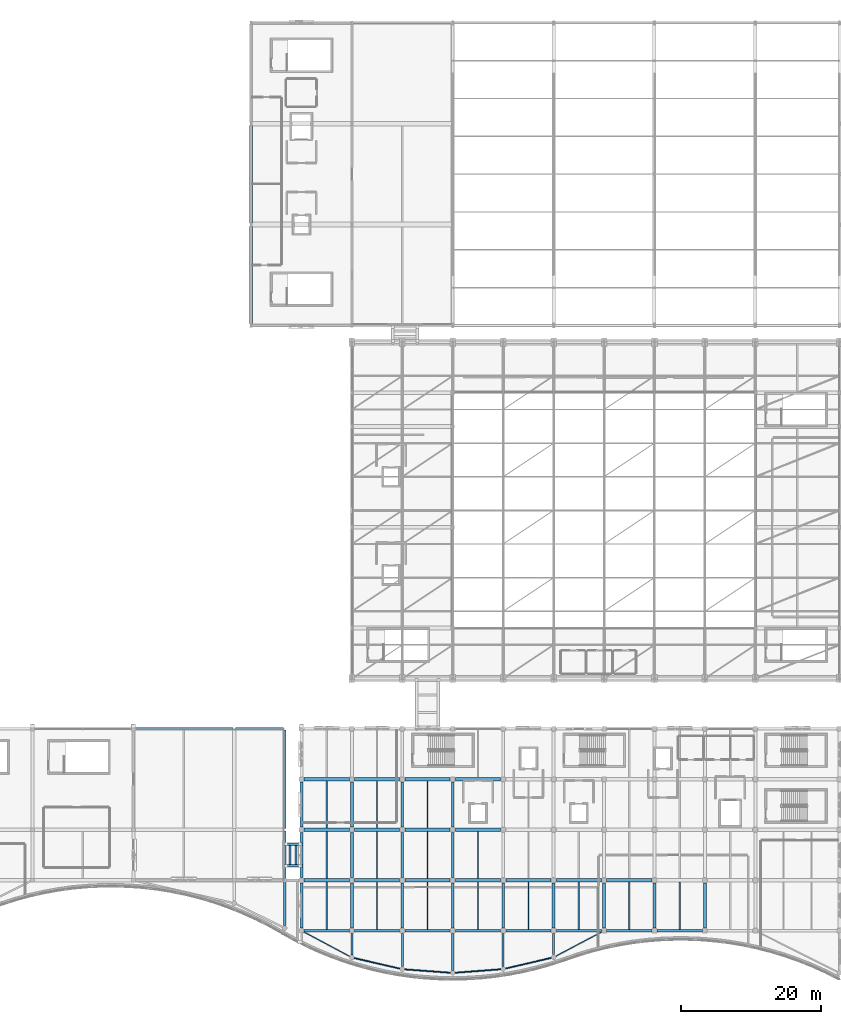
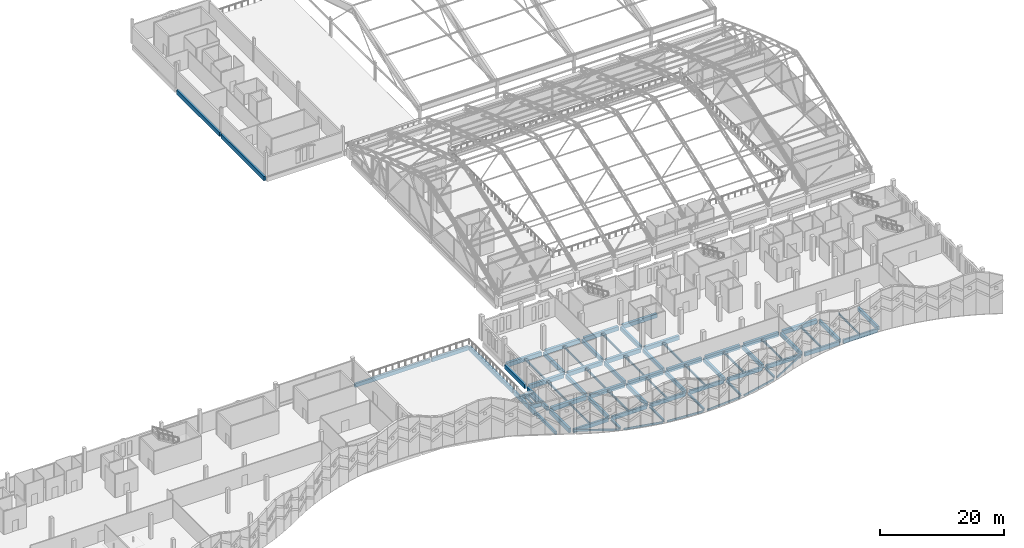
# One storey, part 22 of 116: 77 beams.
"""IFC4 building model written with IfcOpenShell, lengths in metres."""

from ifc_helpers import new_model, si_unit, direction, frame, origin, origin_2d, place, context, subcontext, project, spatial, rectangle, hollow_rectangle, i_section, extrude, material, material_profile, profile_set, type_object, element, save


model = new_model("IFC4")

# Units and contexts
model_context = context("Model", 3, precision=1e-05, world=origin(), true_north=direction((0.0, 1.0)))
body_context = subcontext(model_context, "Body", "Model", "MODEL_VIEW")
ifc_project = project(units=[si_unit("LENGTHUNIT", "METRE"), si_unit("AREAUNIT", "SQUARE_METRE"), si_unit("VOLUMEUNIT", "CUBIC_METRE"), si_unit("PLANEANGLEUNIT", "RADIAN"), si_unit("MASSUNIT", "GRAM", prefix="KILO")], contexts=[model_context])

# Site, building, storey
site_placement = place(None, origin())
site = spatial("IfcSite", under=ifc_project, at=site_placement, CompositionType="ELEMENT")
building_placement = place(site_placement, origin())
building = spatial("IfcBuilding", under=site, at=building_placement, Name="Cendralis Lancet Convention Centre", CompositionType="ELEMENT")
storey_placement = place(building_placement, frame((0.0, 0.0, 15.0)))
storey = spatial("IfcBuildingStorey", under=building, at=storey_placement, Name="L03", CompositionType="ELEMENT", Elevation=15.0)

# Beams
ifc_material_1 = material(Name="Concrete G35 (C35/45)", Category="concrete")
ifc_material_profile_1 = material_profile(ifc_material_1, rectangle(XDim=0.5, YDim=0.800048828125, at=origin_2d()), Name="RCB 500x800")
ifc_profile_set_1 = profile_set([ifc_material_profile_1], Name="Concrete G35 (C35/45)")
beam_type_1 = type_object("IfcBeamType", Name="STR-BM-BG09", PredefinedType="BEAM", material=ifc_profile_set_1)
for number, where, z_axis, x_axis, name in (
    (1, (132.375, 14.39990234375, -0.659912109375), (1.0, 0.0, 0.0), (0.0, 1.0, 0.0), "L03 Beam BG09 #0389"),
    (2, (139.574951171875, 14.39990234375, -0.659912109375), (1.0, 0.0, 0.0), (0.0, 1.0, 0.0), "L03 Beam BG09 #0390"),
):
    element("IfcBeam", number, at=place(storey_placement, frame(where, z_axis=z_axis, x_axis=x_axis)), inside=storey, type_object=beam_type_1, Name=name, PredefinedType="BEAM", context=body_context, shape_type="SweptSolid", body=[
        extrude(rectangle(XDim=0.5, YDim=0.800048828125, at=origin_2d()), origin(), (0.0, 0.0, 1.0), 6.449951171875),
    ])
beam_1_placement = place(storey_placement, frame((146.77490234375, 14.39990234375, -0.659912109375), z_axis=(1.0, 0.0, 0.0), x_axis=(0.0, 1.0, 0.0)))
element("IfcBeam", 3, at=beam_1_placement, inside=storey, type_object=beam_type_1, Name="L03 Beam BG09 #0391", PredefinedType="BEAM", context=body_context, shape_type="SweptSolid", body=[
    extrude(rectangle(XDim=0.5, YDim=0.800048828125, at=origin_2d()), origin(), (0.0, 0.0, 1.0), 6.4501953125),
])
for number, where, z_axis, x_axis, name in (
    (4, (153.97509765625, 14.39990234375, -0.659912109375), (1.0, 0.0, 0.0), (0.0, 1.0, 0.0), "L03 Beam BG09 #0392"),
    (5, (161.175048828125, 14.39990234375, -0.659912109375), (1.0, 0.0, 0.0), (0.0, 1.0, 0.0), "L03 Beam BG09 #0393"),
    (6, (168.375, 14.39990234375, -0.659912109375), (1.0, 0.0, 0.0), (0.0, 1.0, 0.0), "L03 Beam BG09 #0394"),
    (7, (175.574951171875, 14.39990234375, -0.659912109375), (1.0, 0.0, 0.0), (0.0, 1.0, 0.0), "L03 Beam BG09 #0395"),
    (8, (132.375, 21.60009765625, -0.659912109375), (1.0, 0.0, 0.0), (0.0, 1.0, 0.0), "L03 Beam BG09 #0399"),
    (9, (139.574951171875, 21.60009765625, -0.659912109375), (1.0, 0.0, 0.0), (0.0, 1.0, 0.0), "L03 Beam BG09 #0400"),
):
    element("IfcBeam", number, at=place(storey_placement, frame(where, z_axis=z_axis, x_axis=x_axis)), inside=storey, type_object=beam_type_1, Name=name, PredefinedType="BEAM", context=body_context, shape_type="SweptSolid", body=[
        extrude(rectangle(XDim=0.5, YDim=0.800048828125, at=origin_2d()), origin(), (0.0, 0.0, 1.0), 6.449951171875),
    ])
beam_2_placement = place(storey_placement, frame((146.77490234375, 21.60009765625, -0.659912109375), z_axis=(1.0, 0.0, 0.0), x_axis=(0.0, 1.0, 0.0)))
element("IfcBeam", 10, at=beam_2_placement, inside=storey, type_object=beam_type_1, Name="L03 Beam BG09 #0401", PredefinedType="BEAM", context=body_context, shape_type="SweptSolid", body=[
    extrude(rectangle(XDim=0.5, YDim=0.800048828125, at=origin_2d()), origin(), (0.0, 0.0, 1.0), 6.4501953125),
])
for number, where, z_axis, x_axis, name in (
    (11, (153.97509765625, 21.60009765625, -0.659912109375), (1.0, 0.0, 0.0), (0.0, 1.0, 0.0), "L03 Beam BG09 #0402"),
    (12, (132.375, 28.800048828125, -0.659912109375), (1.0, 0.0, 0.0), (0.0, 1.0, 0.0), "L03 Beam BG09 #0409"),
    (13, (139.574951171875, 28.800048828125, -0.659912109375), (1.0, 0.0, 0.0), (0.0, 1.0, 0.0), "L03 Beam BG09 #0410"),
):
    element("IfcBeam", number, at=place(storey_placement, frame(where, z_axis=z_axis, x_axis=x_axis)), inside=storey, type_object=beam_type_1, Name=name, PredefinedType="BEAM", context=body_context, shape_type="SweptSolid", body=[
        extrude(rectangle(XDim=0.5, YDim=0.800048828125, at=origin_2d()), origin(), (0.0, 0.0, 1.0), 6.449951171875),
    ])
beam_3_placement = place(storey_placement, frame((146.77490234375, 28.800048828125, -0.659912109375), z_axis=(1.0, 0.0, 0.0), x_axis=(0.0, 1.0, 0.0)))
element("IfcBeam", 14, at=beam_3_placement, inside=storey, type_object=beam_type_1, Name="L03 Beam BG09 #0411", PredefinedType="BEAM", context=body_context, shape_type="SweptSolid", body=[
    extrude(rectangle(XDim=0.5, YDim=0.800048828125, at=origin_2d()), origin(), (0.0, 0.0, 1.0), 6.4501953125),
])
beam_4_placement = place(storey_placement, frame((153.97509765625, 28.800048828125, -0.659912109375), z_axis=(1.0, 0.0, 0.0), x_axis=(0.0, 1.0, 0.0)))
element("IfcBeam", 15, at=beam_4_placement, inside=storey, type_object=beam_type_1, Name="L03 Beam BG09 #0412", PredefinedType="BEAM", context=body_context, shape_type="SweptSolid", body=[
    extrude(rectangle(XDim=0.5, YDim=0.800048828125, at=origin_2d()), origin(), (0.0, 0.0, 1.0), 6.449951171875),
])
ifc_material_profile_2 = material_profile(ifc_material_1, rectangle(XDim=0.39990234375, YDim=0.75, at=origin_2d()), Name="RCB 400x750")
ifc_profile_set_2 = profile_set([ifc_material_profile_2], Name="Concrete G35 (C35/45)")
beam_type_2 = type_object("IfcBeamType", Name="STR-BM-BG12", PredefinedType="BEAM", material=ifc_profile_set_2)
beam_5_placement = place(storey_placement, frame((139.199951171875, 7.574951171875, -0.635009765625), z_axis=(0.0, 1.0, 0.0), x_axis=(-1.0, 0.0, 0.0)))
element("IfcBeam", 16, at=beam_5_placement, inside=storey, type_object=beam_type_2, Name="L03 Beam BG12 #0433", PredefinedType="BEAM", context=body_context, shape_type="SweptSolid", body=[
    extrude(rectangle(XDim=0.39990234375, YDim=0.75, at=origin_2d()), origin(), (0.0, 0.0, 1.0), 6.449951171875),
])
beam_6_placement = place(storey_placement, frame((139.199951171875, 14.77490234375, -0.635009765625), z_axis=(0.0, 1.0, 0.0), x_axis=(-1.0, 0.0, 0.0)))
element("IfcBeam", 17, at=beam_6_placement, inside=storey, type_object=beam_type_2, Name="L03 Beam BG12 #0434", PredefinedType="BEAM", context=body_context, shape_type="SweptSolid", body=[
    extrude(rectangle(XDim=0.39990234375, YDim=0.75, at=origin_2d()), origin(), (0.0, 0.0, 1.0), 6.4501953125),
])
for number, where, z_axis, x_axis, name in (
    (18, (139.199951171875, 21.97509765625, -0.635009765625), (0.0, 1.0, 0.0), (-1.0, 0.0, 0.0), "L03 Beam BG12 #0435"),
    (19, (146.39990234375, 7.574951171875, -0.635009765625), (0.0, 1.0, 0.0), (-1.0, 0.0, 0.0), "L03 Beam BG12 #0437"),
):
    element("IfcBeam", number, at=place(storey_placement, frame(where, z_axis=z_axis, x_axis=x_axis)), inside=storey, type_object=beam_type_2, Name=name, PredefinedType="BEAM", context=body_context, shape_type="SweptSolid", body=[
        extrude(rectangle(XDim=0.39990234375, YDim=0.75, at=origin_2d()), origin(), (0.0, 0.0, 1.0), 6.449951171875),
    ])
beam_7_placement = place(storey_placement, frame((146.39990234375, 14.77490234375, -0.635009765625), z_axis=(0.0, 1.0, 0.0), x_axis=(-1.0, 0.0, 0.0)))
element("IfcBeam", 20, at=beam_7_placement, inside=storey, type_object=beam_type_2, Name="L03 Beam BG12 #0438", PredefinedType="BEAM", context=body_context, shape_type="SweptSolid", body=[
    extrude(rectangle(XDim=0.39990234375, YDim=0.75, at=origin_2d()), origin(), (0.0, 0.0, 1.0), 6.4501953125),
])
for number, where, z_axis, x_axis, name in (
    (21, (146.39990234375, 21.97509765625, -0.635009765625), (0.0, 1.0, 0.0), (-1.0, 0.0, 0.0), "L03 Beam BG12 #0439"),
    (22, (153.60009765625, 7.574951171875, -0.635009765625), (0.0, 1.0, 0.0), (-1.0, 0.0, 0.0), "L03 Beam BG12 #0441"),
):
    element("IfcBeam", number, at=place(storey_placement, frame(where, z_axis=z_axis, x_axis=x_axis)), inside=storey, type_object=beam_type_2, Name=name, PredefinedType="BEAM", context=body_context, shape_type="SweptSolid", body=[
        extrude(rectangle(XDim=0.39990234375, YDim=0.75, at=origin_2d()), origin(), (0.0, 0.0, 1.0), 6.449951171875),
    ])
beam_8_placement = place(storey_placement, frame((153.60009765625, 14.77490234375, -0.635009765625), z_axis=(0.0, 1.0, 0.0), x_axis=(-1.0, 0.0, 0.0)))
element("IfcBeam", 23, at=beam_8_placement, inside=storey, type_object=beam_type_2, Name="L03 Beam BG12 #0442", PredefinedType="BEAM", context=body_context, shape_type="SweptSolid", body=[
    extrude(rectangle(XDim=0.39990234375, YDim=0.75, at=origin_2d()), origin(), (0.0, 0.0, 1.0), 6.4501953125),
])
for number, where, z_axis, x_axis, name in (
    (24, (153.60009765625, 21.97509765625, -0.635009765625), (0.0, 1.0, 0.0), (-1.0, 0.0, 0.0), "L03 Beam BG12 #0443"),
    (25, (160.800048828125, 7.574951171875, -0.635009765625), (0.0, 1.0, 0.0), (-1.0, 0.0, 0.0), "L03 Beam BG12 #0444"),
    (26, (168.0, 7.574951171875, -0.635009765625), (0.0, 1.0, 0.0), (-1.0, 0.0, 0.0), "L03 Beam BG12 #0448"),
    (27, (175.199951171875, 7.574951171875, -0.635009765625), (0.0, 1.0, 0.0), (-1.0, 0.0, 0.0), "L03 Beam BG12 #0452"),
    (28, (182.39990234375, 7.574951171875, -0.635009765625), (0.0, 1.0, 0.0), (-1.0, 0.0, 0.0), "L03 Beam BG12 #0455"),
    (29, (189.60009765625, 7.574951171875, -0.635009765625), (0.0, 1.0, 0.0), (-1.0, 0.0, 0.0), "L03 Beam BG12 #0459"),
):
    element("IfcBeam", number, at=place(storey_placement, frame(where, z_axis=z_axis, x_axis=x_axis)), inside=storey, type_object=beam_type_2, Name=name, PredefinedType="BEAM", context=body_context, shape_type="SweptSolid", body=[
        extrude(rectangle(XDim=0.39990234375, YDim=0.75, at=origin_2d()), origin(), (0.0, 0.0, 1.0), 6.449951171875),
    ])
ifc_material_profile_3 = material_profile(ifc_material_1, rectangle(XDim=0.35009765625, YDim=0.60009765625, at=origin_2d()), Name="RCB 350x600")
ifc_profile_set_3 = profile_set([ifc_material_profile_3], Name="Concrete G35 (C35/45)")
beam_type_3 = type_object("IfcBeamType", Name="STR-BM-BG16", PredefinedType="BEAM", material=ifc_profile_set_3)
beam_9_placement = place(storey_placement, frame((129.60009765625, 7.94775390625, -0.56005859375), z_axis=(0.0, 1.0, 0.0), x_axis=(-1.0, 0.0, 0.0)))
element("IfcBeam", 30, at=beam_9_placement, inside=storey, type_object=beam_type_3, Name="L03 Beam BG16 #1106", PredefinedType="BEAM", context=body_context, shape_type="SweptSolid", body=[
    extrude(rectangle(XDim=0.35009765625, YDim=0.60009765625, at=origin_2d()), origin(), (0.0, 0.0, 1.0), 6.272216796875),
])
ifc_material_2 = material(Name="Steel S355", Category="steel")
ifc_material_profile_4 = material_profile(ifc_material_2, i_section(OverallWidth=0.35009765625, OverallDepth=0.89990234375, WebThickness=0.01611328125, FlangeThickness=0.028076171875, at=origin_2d()), Name="PG 900x350")
ifc_profile_set_4 = profile_set([ifc_material_profile_4], Name="Steel S355")
beam_type_4 = type_object("IfcBeamType", Name="STR-BM-SG05", PredefinedType="BEAM", material=ifc_profile_set_4)
for number, where, z_axis, x_axis, name in (
    (31, (129.3798828125, 16.449951171875, -0.64990234375), (1.0, 0.0, 0.0), (0.0, 1.0, 0.0), "L03 Beam SG05 #1912"),
    (32, (129.3798828125, 19.550048828125, -0.64990234375), (1.0, 0.0, 0.0), (0.0, 1.0, 0.0), "L03 Beam SG05 #1913"),
):
    element("IfcBeam", number, at=place(storey_placement, frame(where, z_axis=z_axis, x_axis=x_axis)), inside=storey, type_object=beam_type_4, Name=name, PredefinedType="BEAM", context=body_context, shape_type="SweptSolid", body=[
        extrude(i_section(OverallWidth=0.35009765625, OverallDepth=0.89990234375, WebThickness=0.01611328125, FlangeThickness=0.028076171875, at=origin_2d()), origin(), (0.0, 0.0, 1.0), 2.840087890625),
    ])
ifc_material_profile_5 = material_profile(ifc_material_2, i_section(OverallWidth=0.300048828125, OverallDepth=0.43994140625, WebThickness=0.011474609375, FlangeThickness=0.02099609375, FilletRadius=0.027099609375, at=origin_2d()), Name="HEA 450")
ifc_profile_set_5 = profile_set([ifc_material_profile_5], Name="Steel S355")
beam_type_5 = type_object("IfcBeamType", Name="STR-BM-SG13", PredefinedType="BEAM", material=ifc_profile_set_5)
for number, where, z_axis, x_axis, name in (
    (33, (130.39208984375, 16.6298828125, -0.419921875), (0.0, 1.0, 0.0), (-1.0, 0.0, 0.0), "L03 Beam SG13 #1914"),
    (34, (131.2080078125, 16.6298828125, -0.419921875), (0.0, 1.0, 0.0), (-1.0, 0.0, 0.0), "L03 Beam SG13 #1915"),
):
    element("IfcBeam", number, at=place(storey_placement, frame(where, z_axis=z_axis, x_axis=x_axis)), inside=storey, type_object=beam_type_5, Name=name, PredefinedType="BEAM", context=body_context, shape_type="SweptSolid", body=[
        extrude(i_section(OverallWidth=0.300048828125, OverallDepth=0.43994140625, WebThickness=0.011474609375, FlangeThickness=0.02099609375, FilletRadius=0.027099609375, at=origin_2d()), origin(), (0.0, 0.0, 1.0), 2.740234375),
    ])
ifc_material_profile_6 = material_profile(ifc_material_2, i_section(OverallWidth=0.300048828125, OverallDepth=0.389892578125, WebThickness=0.010986328125, FlangeThickness=0.01904296875, FilletRadius=0.027099609375, at=origin_2d()), Name="HEA 400")
ifc_profile_set_6 = profile_set([ifc_material_profile_6], Name="Steel S355")
beam_type_6 = type_object("IfcBeamType", Name="STR-BM-SG14", PredefinedType="BEAM", material=ifc_profile_set_6)
beam_10_placement = place(storey_placement, frame((139.199951171875, 3.74072265625, -0.455078125), z_axis=(0.0, 1.0, 0.0), x_axis=(-1.0, 0.0, 0.0)))
element("IfcBeam", 35, at=beam_10_placement, inside=storey, type_object=beam_type_6, Name="L03 Beam SG14 #1107", PredefinedType="BEAM", context=body_context, shape_type="SweptSolid", body=[
    extrude(i_section(OverallWidth=0.300048828125, OverallDepth=0.389892578125, WebThickness=0.010986328125, FlangeThickness=0.01904296875, FilletRadius=0.027099609375, at=origin_2d()), origin(), (0.0, 0.0, 1.0), 3.084228515625),
])
beam_11_placement = place(storey_placement, frame((146.39990234375, 2.080810546875, -0.455078125), z_axis=(0.0, 1.0, 0.0), x_axis=(-1.0, 0.0, 0.0)))
element("IfcBeam", 36, at=beam_11_placement, inside=storey, type_object=beam_type_6, Name="L03 Beam SG14 #1108", PredefinedType="BEAM", context=body_context, shape_type="SweptSolid", body=[
    extrude(i_section(OverallWidth=0.300048828125, OverallDepth=0.389892578125, WebThickness=0.010986328125, FlangeThickness=0.01904296875, FilletRadius=0.027099609375, at=origin_2d()), origin(), (0.0, 0.0, 1.0), 4.744140625),
])
beam_12_placement = place(storey_placement, frame((153.60009765625, 1.544921875, -0.455078125), z_axis=(0.0, 1.0, 0.0), x_axis=(-1.0, 0.0, 0.0)))
element("IfcBeam", 37, at=beam_12_placement, inside=storey, type_object=beam_type_6, Name="L03 Beam SG14 #1109", PredefinedType="BEAM", context=body_context, shape_type="SweptSolid", body=[
    extrude(i_section(OverallWidth=0.300048828125, OverallDepth=0.389892578125, WebThickness=0.010986328125, FlangeThickness=0.01904296875, FilletRadius=0.027099609375, at=origin_2d()), origin(), (0.0, 0.0, 1.0), 5.280029296875),
])
beam_13_placement = place(storey_placement, frame((160.800048828125, 2.095458984375, -0.455078125), z_axis=(0.0, 1.0, 0.0), x_axis=(-1.0, 0.0, 0.0)))
element("IfcBeam", 38, at=beam_13_placement, inside=storey, type_object=beam_type_6, Name="L03 Beam SG14 #1110", PredefinedType="BEAM", context=body_context, shape_type="SweptSolid", body=[
    extrude(i_section(OverallWidth=0.300048828125, OverallDepth=0.389892578125, WebThickness=0.010986328125, FlangeThickness=0.01904296875, FilletRadius=0.027099609375, at=origin_2d()), origin(), (0.0, 0.0, 1.0), 4.7294921875),
])
beam_14_placement = place(storey_placement, frame((168.0, 3.771240234375, -0.455078125), z_axis=(0.0, 1.0, 0.0), x_axis=(-1.0, 0.0, 0.0)))
element("IfcBeam", 39, at=beam_14_placement, inside=storey, type_object=beam_type_6, Name="L03 Beam SG14 #1111", PredefinedType="BEAM", context=body_context, shape_type="SweptSolid", body=[
    extrude(i_section(OverallWidth=0.300048828125, OverallDepth=0.389892578125, WebThickness=0.010986328125, FlangeThickness=0.01904296875, FilletRadius=0.027099609375, at=origin_2d()), origin(), (0.0, 0.0, 1.0), 3.0537109375),
])
ifc_material_profile_7 = material_profile(ifc_material_2, i_section(OverallWidth=0.179931640625, OverallDepth=0.39990234375, WebThickness=0.008544921875, FlangeThickness=0.013427734375, FilletRadius=0.02099609375, at=origin_2d()), Name="IPE 400")
ifc_profile_set_7 = profile_set([ifc_material_profile_7], Name="Steel S355")
beam_type_7 = type_object("IfcBeamType", Name="STR-JS-BJ08", PredefinedType="JOIST", material=ifc_profile_set_7)
beam_15_placement = place(storey_placement, frame((135.60009765625, 7.375, -0.4599609375), z_axis=(0.0, 1.0, 0.0), x_axis=(-1.0, 0.0, 0.0)))
element("IfcBeam", 40, at=beam_15_placement, inside=storey, type_object=beam_type_7, Name="L03 Beam BJ08 #0471", PredefinedType="JOIST", context=body_context, shape_type="SweptSolid", body=[
    extrude(i_section(OverallWidth=0.179931640625, OverallDepth=0.39990234375, WebThickness=0.008544921875, FlangeThickness=0.013427734375, FilletRadius=0.02099609375, at=origin_2d()), origin(), (0.0, 0.0, 1.0), 6.77490234375),
])
beam_16_placement = place(storey_placement, frame((135.60009765625, 14.64990234375, -0.4599609375), z_axis=(0.0, 1.0, 0.0), x_axis=(-1.0, 0.0, 0.0)))
element("IfcBeam", 41, at=beam_16_placement, inside=storey, type_object=beam_type_7, Name="L03 Beam BJ08 #0472", PredefinedType="JOIST", context=body_context, shape_type="SweptSolid", body=[
    extrude(i_section(OverallWidth=0.179931640625, OverallDepth=0.39990234375, WebThickness=0.008544921875, FlangeThickness=0.013427734375, FilletRadius=0.02099609375, at=origin_2d()), origin(), (0.0, 0.0, 1.0), 6.7001953125),
])
beam_17_placement = place(storey_placement, frame((135.60009765625, 21.85009765625, -0.4599609375), z_axis=(0.0, 1.0, 0.0), x_axis=(-1.0, 0.0, 0.0)))
element("IfcBeam", 42, at=beam_17_placement, inside=storey, type_object=beam_type_7, Name="L03 Beam BJ08 #0473", PredefinedType="JOIST", context=body_context, shape_type="SweptSolid", body=[
    extrude(i_section(OverallWidth=0.179931640625, OverallDepth=0.39990234375, WebThickness=0.008544921875, FlangeThickness=0.013427734375, FilletRadius=0.02099609375, at=origin_2d()), origin(), (0.0, 0.0, 1.0), 6.699951171875),
])
beam_18_placement = place(storey_placement, frame((142.800048828125, 7.375, -0.4599609375), z_axis=(0.0, 1.0, 0.0), x_axis=(-1.0, 0.0, 0.0)))
element("IfcBeam", 43, at=beam_18_placement, inside=storey, type_object=beam_type_7, Name="L03 Beam BJ08 #0475", PredefinedType="JOIST", context=body_context, shape_type="SweptSolid", body=[
    extrude(i_section(OverallWidth=0.179931640625, OverallDepth=0.39990234375, WebThickness=0.008544921875, FlangeThickness=0.013427734375, FilletRadius=0.02099609375, at=origin_2d()), origin(), (0.0, 0.0, 1.0), 6.77490234375),
])
beam_19_placement = place(storey_placement, frame((142.800048828125, 14.64990234375, -0.4599609375), z_axis=(0.0, 1.0, 0.0), x_axis=(-1.0, 0.0, 0.0)))
element("IfcBeam", 44, at=beam_19_placement, inside=storey, type_object=beam_type_7, Name="L03 Beam BJ08 #0476", PredefinedType="JOIST", context=body_context, shape_type="SweptSolid", body=[
    extrude(i_section(OverallWidth=0.179931640625, OverallDepth=0.39990234375, WebThickness=0.008544921875, FlangeThickness=0.013427734375, FilletRadius=0.02099609375, at=origin_2d()), origin(), (0.0, 0.0, 1.0), 6.7001953125),
])
beam_20_placement = place(storey_placement, frame((142.800048828125, 21.85009765625, -0.4599609375), z_axis=(0.0, 1.0, 0.0), x_axis=(-1.0, 0.0, 0.0)))
element("IfcBeam", 45, at=beam_20_placement, inside=storey, type_object=beam_type_7, Name="L03 Beam BJ08 #0477", PredefinedType="JOIST", context=body_context, shape_type="SweptSolid", body=[
    extrude(i_section(OverallWidth=0.179931640625, OverallDepth=0.39990234375, WebThickness=0.008544921875, FlangeThickness=0.013427734375, FilletRadius=0.02099609375, at=origin_2d()), origin(), (0.0, 0.0, 1.0), 6.699951171875),
])
beam_21_placement = place(storey_placement, frame((150.0, 7.375, -0.4599609375), z_axis=(0.0, 1.0, 0.0), x_axis=(-1.0, 0.0, 0.0)))
element("IfcBeam", 46, at=beam_21_placement, inside=storey, type_object=beam_type_7, Name="L03 Beam BJ08 #0479", PredefinedType="JOIST", context=body_context, shape_type="SweptSolid", body=[
    extrude(i_section(OverallWidth=0.179931640625, OverallDepth=0.39990234375, WebThickness=0.008544921875, FlangeThickness=0.013427734375, FilletRadius=0.02099609375, at=origin_2d()), origin(), (0.0, 0.0, 1.0), 6.77490234375),
])
beam_22_placement = place(storey_placement, frame((150.0, 14.64990234375, -0.4599609375), z_axis=(0.0, 1.0, 0.0), x_axis=(-1.0, 0.0, 0.0)))
element("IfcBeam", 47, at=beam_22_placement, inside=storey, type_object=beam_type_7, Name="L03 Beam BJ08 #0480", PredefinedType="JOIST", context=body_context, shape_type="SweptSolid", body=[
    extrude(i_section(OverallWidth=0.179931640625, OverallDepth=0.39990234375, WebThickness=0.008544921875, FlangeThickness=0.013427734375, FilletRadius=0.02099609375, at=origin_2d()), origin(), (0.0, 0.0, 1.0), 6.7001953125),
])
beam_23_placement = place(storey_placement, frame((150.0, 21.85009765625, -0.4599609375), z_axis=(0.0, 1.0, 0.0), x_axis=(-1.0, 0.0, 0.0)))
element("IfcBeam", 48, at=beam_23_placement, inside=storey, type_object=beam_type_7, Name="L03 Beam BJ08 #0481", PredefinedType="JOIST", context=body_context, shape_type="SweptSolid", body=[
    extrude(i_section(OverallWidth=0.179931640625, OverallDepth=0.39990234375, WebThickness=0.008544921875, FlangeThickness=0.013427734375, FilletRadius=0.02099609375, at=origin_2d()), origin(), (0.0, 0.0, 1.0), 6.699951171875),
])
beam_24_placement = place(storey_placement, frame((157.199951171875, 7.375, -0.4599609375), z_axis=(0.0, 1.0, 0.0), x_axis=(-1.0, 0.0, 0.0)))
element("IfcBeam", 49, at=beam_24_placement, inside=storey, type_object=beam_type_7, Name="L03 Beam BJ08 #0482", PredefinedType="JOIST", context=body_context, shape_type="SweptSolid", body=[
    extrude(i_section(OverallWidth=0.179931640625, OverallDepth=0.39990234375, WebThickness=0.008544921875, FlangeThickness=0.013427734375, FilletRadius=0.02099609375, at=origin_2d()), origin(), (0.0, 0.0, 1.0), 6.77490234375),
])
beam_25_placement = place(storey_placement, frame((157.199951171875, 14.64990234375, -0.4599609375), z_axis=(0.0, 1.0, 0.0), x_axis=(-1.0, 0.0, 0.0)))
element("IfcBeam", 50, at=beam_25_placement, inside=storey, type_object=beam_type_7, Name="L03 Beam BJ08 #0483", PredefinedType="JOIST", context=body_context, shape_type="SweptSolid", body=[
    extrude(i_section(OverallWidth=0.179931640625, OverallDepth=0.39990234375, WebThickness=0.008544921875, FlangeThickness=0.013427734375, FilletRadius=0.02099609375, at=origin_2d()), origin(), (0.0, 0.0, 1.0), 6.7001953125),
])
for number, where, z_axis, x_axis, name in (
    (51, (164.39990234375, 7.375, -0.4599609375), (0.0, 1.0, 0.0), (-1.0, 0.0, 0.0), "L03 Beam BJ08 #0485"),
    (52, (171.60009765625, 7.375, -0.4599609375), (0.0, 1.0, 0.0), (-1.0, 0.0, 0.0), "L03 Beam BJ08 #0488"),
    (53, (178.800048828125, 7.375, -0.4599609375), (0.0, 1.0, 0.0), (-1.0, 0.0, 0.0), "L03 Beam BJ08 #0490"),
    (54, (186.0, 7.375, -0.4599609375), (0.0, 1.0, 0.0), (-1.0, 0.0, 0.0), "L03 Beam BJ08 #0494"),
):
    element("IfcBeam", number, at=place(storey_placement, frame(where, z_axis=z_axis, x_axis=x_axis)), inside=storey, type_object=beam_type_7, Name=name, PredefinedType="JOIST", context=body_context, shape_type="SweptSolid", body=[
        extrude(i_section(OverallWidth=0.179931640625, OverallDepth=0.39990234375, WebThickness=0.008544921875, FlangeThickness=0.013427734375, FilletRadius=0.02099609375, at=origin_2d()), origin(), (0.0, 0.0, 1.0), 6.77490234375),
    ])
ifc_material_3 = material(Name="Concrete G40 (C40/50)", Category="concrete")
ifc_material_profile_8 = material_profile(ifc_material_3, rectangle(XDim=0.35009765625, YDim=0.75, at=origin_2d()), Name="RCB 350x750")
ifc_profile_set_8 = profile_set([ifc_material_profile_8], Name="Concrete G40 (C40/50)")
beam_type_8 = type_object("IfcBeamType", Name="STR-SP-SP01", PredefinedType="SPANDREL", material=ifc_profile_set_8)
for number, where, z_axis, x_axis, name in (
    (55, (132.375, 7.199951171875, -0.635009765625), (1.0, 0.0, 0.0), (0.0, 1.0, 0.0), "L03 Beam SP01 #0379"),
    (56, (139.574951171875, 7.199951171875, -0.635009765625), (1.0, 0.0, 0.0), (0.0, 1.0, 0.0), "L03 Beam SP01 #0380"),
):
    element("IfcBeam", number, at=place(storey_placement, frame(where, z_axis=z_axis, x_axis=x_axis)), inside=storey, type_object=beam_type_8, Name=name, PredefinedType="SPANDREL", context=body_context, shape_type="SweptSolid", body=[
        extrude(rectangle(XDim=0.35009765625, YDim=0.75, at=origin_2d()), origin(), (0.0, 0.0, 1.0), 6.449951171875),
    ])
beam_26_placement = place(storey_placement, frame((146.77490234375, 7.199951171875, -0.635009765625), z_axis=(1.0, 0.0, 0.0), x_axis=(0.0, 1.0, 0.0)))
element("IfcBeam", 57, at=beam_26_placement, inside=storey, type_object=beam_type_8, Name="L03 Beam SP01 #0381", PredefinedType="SPANDREL", context=body_context, shape_type="SweptSolid", body=[
    extrude(rectangle(XDim=0.35009765625, YDim=0.75, at=origin_2d()), origin(), (0.0, 0.0, 1.0), 6.4501953125),
])
for number, where, z_axis, x_axis, name in (
    (58, (153.97509765625, 7.199951171875, -0.635009765625), (1.0, 0.0, 0.0), (0.0, 1.0, 0.0), "L03 Beam SP01 #0382"),
    (59, (161.175048828125, 7.199951171875, -0.635009765625), (1.0, 0.0, 0.0), (0.0, 1.0, 0.0), "L03 Beam SP01 #0383"),
    (60, (168.375, 7.199951171875, -0.635009765625), (1.0, 0.0, 0.0), (0.0, 1.0, 0.0), "L03 Beam SP01 #0384"),
    (61, (175.574951171875, 7.199951171875, -0.635009765625), (1.0, 0.0, 0.0), (0.0, 1.0, 0.0), "L03 Beam SP01 #0385"),
):
    element("IfcBeam", number, at=place(storey_placement, frame(where, z_axis=z_axis, x_axis=x_axis)), inside=storey, type_object=beam_type_8, Name=name, PredefinedType="SPANDREL", context=body_context, shape_type="SweptSolid", body=[
        extrude(rectangle(XDim=0.35009765625, YDim=0.75, at=origin_2d()), origin(), (0.0, 0.0, 1.0), 6.449951171875),
    ])
beam_27_placement = place(storey_placement, frame((182.77490234375, 7.199951171875, -0.635009765625), z_axis=(1.0, 0.0, 0.0), x_axis=(0.0, 1.0, 0.0)))
element("IfcBeam", 62, at=beam_27_placement, inside=storey, type_object=beam_type_8, Name="L03 Beam SP01 #0386", PredefinedType="SPANDREL", context=body_context, shape_type="SweptSolid", body=[
    extrude(rectangle(XDim=0.35009765625, YDim=0.75, at=origin_2d()), origin(), (0.0, 0.0, 1.0), 6.4501953125),
])
beam_28_placement = place(storey_placement, frame((108.14990234375, 36.0, -0.635009765625), z_axis=(1.0, 0.0, 0.0), x_axis=(0.0, 1.0, 0.0)))
element("IfcBeam", 63, at=beam_28_placement, inside=storey, type_object=beam_type_8, Name="L03 Beam SP01 #0930", PredefinedType="SPANDREL", context=body_context, shape_type="SweptSolid", body=[
    extrude(rectangle(XDim=0.35009765625, YDim=0.75, at=origin_2d()), origin(), (0.0, 0.0, 1.0), 14.10009765625),
])
beam_29_placement = place(storey_placement, frame((122.550048828125, 36.0, -0.635009765625), z_axis=(1.0, 0.0, 0.0), x_axis=(0.0, 1.0, 0.0)))
element("IfcBeam", 64, at=beam_29_placement, inside=storey, type_object=beam_type_8, Name="L03 Beam SP01 #0931", PredefinedType="SPANDREL", context=body_context, shape_type="SweptSolid", body=[
    extrude(rectangle(XDim=0.35009765625, YDim=0.75, at=origin_2d()), origin(), (0.0, 0.0, 1.0), 6.89990234375),
])
ifc_material_profile_9 = material_profile(ifc_material_3, rectangle(XDim=0.39990234375, YDim=0.85009765625, at=origin_2d()), Name="RCB 400x850")
ifc_profile_set_9 = profile_set([ifc_material_profile_9], Name="Concrete G40 (C40/50)")
beam_type_9 = type_object("IfcBeamType", Name="STR-SP-SP02", PredefinedType="SPANDREL", material=ifc_profile_set_9)
beam_30_placement = place(storey_placement, frame((132.0, 7.574951171875, -0.68505859375), z_axis=(0.0, 1.0, 0.0), x_axis=(-1.0, 0.0, 0.0)))
element("IfcBeam", 65, at=beam_30_placement, inside=storey, type_object=beam_type_9, Name="L03 Beam SP02 #0429", PredefinedType="SPANDREL", context=body_context, shape_type="SweptSolid", body=[
    extrude(rectangle(XDim=0.39990234375, YDim=0.85009765625, at=origin_2d()), origin(), (0.0, 0.0, 1.0), 6.449951171875),
])
beam_31_placement = place(storey_placement, frame((132.0, 14.77490234375, -0.68505859375), z_axis=(0.0, 1.0, 0.0), x_axis=(-1.0, 0.0, 0.0)))
element("IfcBeam", 66, at=beam_31_placement, inside=storey, type_object=beam_type_9, Name="L03 Beam SP02 #0430", PredefinedType="SPANDREL", context=body_context, shape_type="SweptSolid", body=[
    extrude(rectangle(XDim=0.39990234375, YDim=0.85009765625, at=origin_2d()), origin(), (0.0, 0.0, 1.0), 6.4501953125),
])
beam_32_placement = place(storey_placement, frame((132.0, 21.97509765625, -0.68505859375), z_axis=(0.0, 1.0, 0.0), x_axis=(-1.0, 0.0, 0.0)))
element("IfcBeam", 67, at=beam_32_placement, inside=storey, type_object=beam_type_9, Name="L03 Beam SP02 #0431", PredefinedType="SPANDREL", context=body_context, shape_type="SweptSolid", body=[
    extrude(rectangle(XDim=0.39990234375, YDim=0.85009765625, at=origin_2d()), origin(), (0.0, 0.0, 1.0), 6.449951171875),
])
beam_33_placement = place(storey_placement, frame((129.60009765625, 14.580078125, -0.68505859375), z_axis=(0.0, 1.0, 0.0), x_axis=(-1.0, 0.0, 0.0)))
element("IfcBeam", 68, at=beam_33_placement, inside=storey, type_object=beam_type_9, Name="L03 Beam SP02 #0957", PredefinedType="SPANDREL", context=body_context, shape_type="SweptSolid", body=[
    extrude(rectangle(XDim=0.39990234375, YDim=0.85009765625, at=origin_2d()), origin(), (0.0, 0.0, 1.0), 6.83984375),
])
beam_34_placement = place(storey_placement, frame((129.60009765625, 21.780029296875, -0.68505859375), z_axis=(0.0, 1.0, 0.0), x_axis=(-1.0, 0.0, 0.0)))
element("IfcBeam", 69, at=beam_34_placement, inside=storey, type_object=beam_type_9, Name="L03 Beam SP02 #0958", PredefinedType="SPANDREL", context=body_context, shape_type="SweptSolid", body=[
    extrude(rectangle(XDim=0.39990234375, YDim=0.85009765625, at=origin_2d()), origin(), (0.0, 0.0, 1.0), 14.0400390625),
])
for number, where, z_axis, x_axis, name in (
    (70, (124.800048828125, 93.85009765625, -0.68505859375), (0.0, 1.0, 0.0), (-1.0, 0.0, 0.0), "L03 Beam SP02 #1763"),
    (71, (124.800048828125, 108.25, -0.68505859375), (0.0, 1.0, 0.0), (-1.0, 0.0, 0.0), "L03 Beam SP02 #1764"),
):
    element("IfcBeam", number, at=place(storey_placement, frame(where, z_axis=z_axis, x_axis=x_axis)), inside=storey, type_object=beam_type_9, Name=name, PredefinedType="SPANDREL", context=body_context, shape_type="SweptSolid", body=[
        extrude(rectangle(XDim=0.39990234375, YDim=0.85009765625, at=origin_2d()), origin(), (0.0, 0.0, 1.0), 13.89990234375),
    ])
ifc_material_profile_10 = material_profile(ifc_material_2, hollow_rectangle(XDim=0.14990234375, YDim=0.35009765625, WallThickness=0.012451171875, at=origin_2d()), Name="RHS 350x150x12.5")
ifc_profile_set_10 = profile_set([ifc_material_profile_10], Name="Steel S355")
beam_type_10 = type_object("IfcBeamType", Name="STR-SP-SP04", PredefinedType="SPANDREL", material=ifc_profile_set_10)
beam_35_placement = place(storey_placement, frame((132.3310546875, 7.023681640625, -0.43505859375), z_axis=(0.882642003394, -0.47004584228, 0.0), x_axis=(0.47004584228, 0.882642003394, 0.0)))
element("IfcBeam", 72, at=beam_35_placement, inside=storey, type_object=beam_type_10, Name="L03 Beam SP04 #1121", PredefinedType="SPANDREL", context=body_context, shape_type="SweptSolid", body=[
    extrude(hollow_rectangle(XDim=0.14990234375, YDim=0.35009765625, WallThickness=0.012451171875, at=origin_2d()), origin(), (0.0, 0.0, 1.0), 7.4072265625),
])
beam_36_placement = place(storey_placement, frame((139.5654296875, 3.281494140625, -0.43505859375), z_axis=(0.974430846602, -0.224687616905, 0.0), x_axis=(0.224687616905, 0.974430846602, 0.0)))
element("IfcBeam", 73, at=beam_36_placement, inside=storey, type_object=beam_type_10, Name="L03 Beam SP04 #1122", PredefinedType="SPANDREL", context=body_context, shape_type="SweptSolid", body=[
    extrude(hollow_rectangle(XDim=0.14990234375, YDim=0.35009765625, WallThickness=0.012451171875, at=origin_2d()), origin(), (0.0, 0.0, 1.0), 6.638916015625),
])
beam_37_placement = place(storey_placement, frame((146.77392578125, 1.677978515625, -0.43505859375), z_axis=(0.997241643961, -0.074223335616, 0.0), x_axis=(0.074223335616, 0.997241643961, 0.0)))
element("IfcBeam", 74, at=beam_37_placement, inside=storey, type_object=beam_type_10, Name="L03 Beam SP04 #1123", PredefinedType="SPANDREL", context=body_context, shape_type="SweptSolid", body=[
    extrude(hollow_rectangle(XDim=0.14990234375, YDim=0.35009765625, WallThickness=0.012451171875, at=origin_2d()), origin(), (0.0, 0.0, 1.0), 6.469970703125),
])
beam_38_placement = place(storey_placement, frame((153.973876953125, 1.198486328125, -0.43505859375), z_axis=(0.997088784729, 0.076249297485, 0.0), x_axis=(-0.076249297485, 0.997088784729, 0.0)))
element("IfcBeam", 75, at=beam_38_placement, inside=storey, type_object=beam_type_10, Name="L03 Beam SP04 #1124", PredefinedType="SPANDREL", context=body_context, shape_type="SweptSolid", body=[
    extrude(hollow_rectangle(XDim=0.14990234375, YDim=0.35009765625, WallThickness=0.012451171875, at=origin_2d()), origin(), (0.0, 0.0, 1.0), 6.470947265625),
])
beam_39_placement = place(storey_placement, frame((161.165283203125, 1.805419921875, -0.43505859375), z_axis=(0.973963880237, 0.226703242134, 0.0), x_axis=(-0.226703242134, 0.973963880237, 0.0)))
element("IfcBeam", 76, at=beam_39_placement, inside=storey, type_object=beam_type_10, Name="L03 Beam SP04 #1125", PredefinedType="SPANDREL", context=body_context, shape_type="SweptSolid", body=[
    extrude(hollow_rectangle(XDim=0.14990234375, YDim=0.35009765625, WallThickness=0.012451171875, at=origin_2d()), origin(), (0.0, 0.0, 1.0), 6.642333984375),
])
beam_40_placement = place(storey_placement, frame((168.33154296875, 3.5712890625, -0.43505859375), z_axis=(0.884183604814, 0.467139543369, 0.0), x_axis=(-0.467139543369, 0.884183604814, 0.0)))
element("IfcBeam", 77, at=beam_40_placement, inside=storey, type_object=beam_type_10, Name="L03 Beam SP04 #1126", PredefinedType="SPANDREL", context=body_context, shape_type="SweptSolid", body=[
    extrude(hollow_rectangle(XDim=0.14990234375, YDim=0.35009765625, WallThickness=0.012451171875, at=origin_2d()), origin(), (0.0, 0.0, 1.0), 7.39306640625),
])

save(model, "model.ifc")
